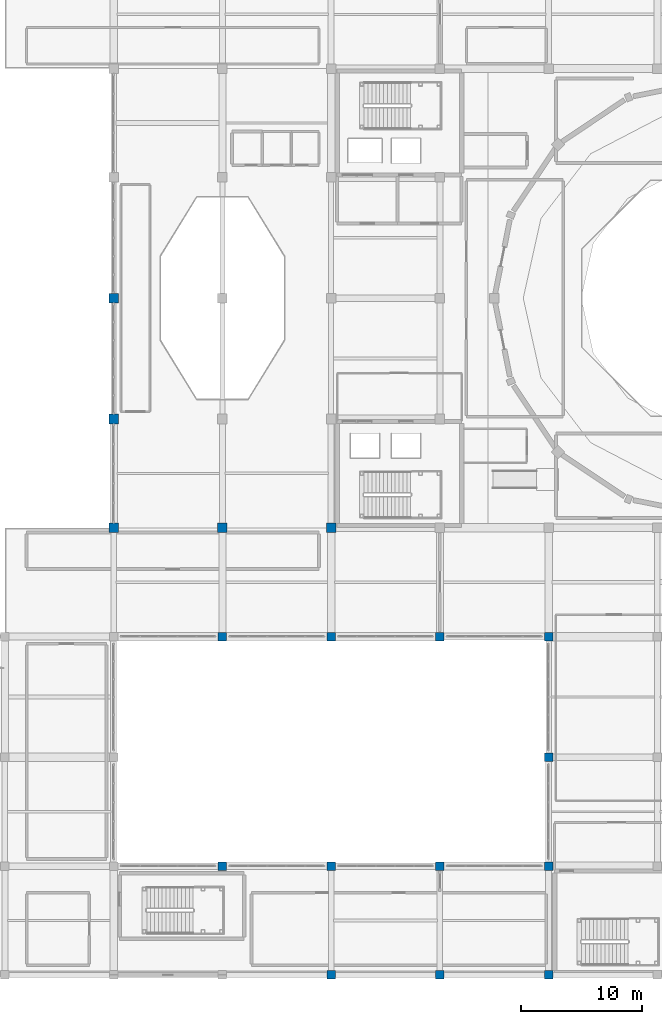
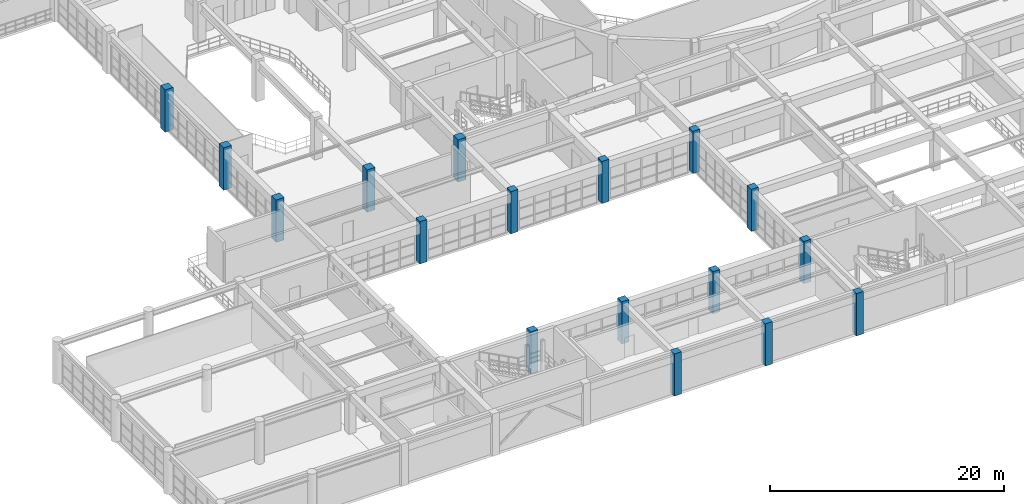
# One storey, part 2 of 133: 17 columns.
"""IFC4 building model written with IfcOpenShell, lengths in metres."""

import ifcopenshell
import ifcopenshell.guid

model = None  # the IFC model being written
_history = None  # IfcOwnerHistory: only IFC2X3 demands one
_inside = {}  # id of a spatial element -> (the spatial element, [elements in it])
_under = {}  # id of a project, library or spatial element -> (it, [spatial elements below it])
_declared = {}  # id of a project -> (the project, [libraries it declares])
_typed = {}  # id of a type object -> (the type object, [elements of that type])
_made_of = {}  # id of a material, layer set ... -> (it, [elements and type objects made of it])


def new_model(schema):
    """Start an empty IFC model of exactly this schema.

    Asked for "IFC4X3", IfcOpenShell would pick the latest addendum, in which some entities
    have other attributes; the version numbers below select the first issue.
    IFC2X3 requires an IfcOwnerHistory on every rooted entity: one is made here for all.
    """
    global model, _history
    if schema == "IFC4X3":
        model = ifcopenshell.file(schema_version=(4, 3, 0, 0))
    else:
        model = ifcopenshell.file(schema=schema)
    _inside.clear()
    _under.clear()
    _declared.clear()
    _typed.clear()
    _made_of.clear()
    _history = None
    if model.schema == "IFC2X3":
        org = make("IfcOrganization", Name="unknown")
        user = make(
            "IfcPersonAndOrganization",
            ThePerson=make("IfcPerson", FamilyName="unknown"),
            TheOrganization=org,
        )
        app = make(
            "IfcApplication",
            ApplicationDeveloper=org,
            Version="unknown",
            ApplicationFullName="unknown",
            ApplicationIdentifier="unknown",
        )
        _history = make(
            "IfcOwnerHistory",
            OwningUser=user,
            OwningApplication=app,
            ChangeAction="ADDED",
            CreationDate=0,
        )
    return model


def make(cls, **values):
    """One entity of the class cls with the attributes given. An attribute that is None is left unset."""
    return model.create_entity(
        cls, **{name: value for name, value in values.items() if value is not None}
    )


def rooted(cls, **values):
    """An entity with a GlobalId (a new one), such as an element, a storey or a relation."""
    return make(cls, GlobalId=ifcopenshell.guid.new(), OwnerHistory=_history, **values)


def si_unit(unit_type, name, prefix=None):
    """IfcSIUnit, for example si_unit("LENGTHUNIT", "METRE", prefix="MILLI")."""
    return make("IfcSIUnit", UnitType=unit_type, Prefix=prefix, Name=name)


def assignment(units):
    """IfcUnitAssignment: the units of a project."""
    return None if units is None else make("IfcUnitAssignment", Units=units)


def point(xyz):
    """IfcCartesianPoint."""
    return None if xyz is None else make("IfcCartesianPoint", Coordinates=xyz)


def direction(xyz):
    """IfcDirection."""
    return None if xyz is None else make("IfcDirection", DirectionRatios=xyz)


def frame(location, z_axis=None, x_axis=None):
    """IfcAxis2Placement3D, a coordinate frame: its origin and axes. An axis left out is left unset."""
    return make(
        "IfcAxis2Placement3D",
        Location=point(location),
        Axis=direction(z_axis),
        RefDirection=direction(x_axis),
    )


def frame_2d(location, x_axis=None):
    """IfcAxis2Placement2D, a coordinate frame in the plane: its origin and x axis."""
    return make(
        "IfcAxis2Placement2D", Location=point(location), RefDirection=direction(x_axis)
    )


def origin():
    """The frame at (0, 0, 0) with its axes left unset."""
    return frame((0.0, 0.0, 0.0))


def origin_2d():
    """The frame at (0, 0) in the plane with its x axis left unset."""
    return frame_2d((0.0, 0.0))


def place(relative_to, where):
    """IfcLocalPlacement: puts the frame where relative to a parent placement (None: the world)."""
    return make(
        "IfcLocalPlacement", PlacementRelTo=relative_to, RelativePlacement=where
    )


def context(
    kind, dimensions, precision=None, world=None, true_north=None, identifier=None
):
    """IfcGeometricRepresentationContext, for example the 3D "Model" context."""
    return make(
        "IfcGeometricRepresentationContext",
        ContextIdentifier=identifier,
        ContextType=kind,
        CoordinateSpaceDimension=dimensions,
        Precision=precision,
        WorldCoordinateSystem=world,
        TrueNorth=true_north,
    )


def subcontext(parent, identifier, kind, view, scale=None):
    """IfcGeometricRepresentationSubContext, for example "Body" below "Model"."""
    return make(
        "IfcGeometricRepresentationSubContext",
        ContextIdentifier=identifier,
        ContextType=kind,
        ParentContext=parent,
        TargetScale=scale,
        TargetView=view,
    )


def project(units=None, contexts=None):
    """IfcProject with its units and contexts."""
    return rooted(
        "IfcProject",
        Name="project",
        RepresentationContexts=contexts,
        UnitsInContext=assignment(units),
    )


def spatial(cls, under=None, at=None, **own):
    """A site, building, storey or space (cls), placed at a placement, below another one or the project."""
    s = rooted(cls, ObjectPlacement=at, **own)
    if under is not None:
        _under.setdefault(under.id(), (under, []))[1].append(s)
    return s


def profile(cls, at=None, kind="AREA", **sizes):
    """A parametric profile (cls). Its sizes go by their IFC names, for example OverallWidth=200.0."""
    return make(cls, ProfileType=kind, Position=at, **sizes)


def rectangle(**sizes):
    """IfcRectangleProfileDef."""
    return profile("IfcRectangleProfileDef", **sizes)


def extrude(swept, where, along, depth):
    """IfcExtrudedAreaSolid: the profile swept, set in the frame where, extruded along a direction by depth."""
    return make(
        "IfcExtrudedAreaSolid",
        SweptArea=swept,
        Position=where,
        ExtrudedDirection=direction(along),
        Depth=depth,
    )


def shape(context_of_items, identifier, shape_type, items):
    """IfcShapeRepresentation: the items that make up one representation, for example the "Body"."""
    return make(
        "IfcShapeRepresentation",
        ContextOfItems=context_of_items,
        RepresentationIdentifier=identifier,
        RepresentationType=shape_type,
        Items=items,
    )


def material(Name=None, Category=None):
    """IfcMaterial."""
    return make("IfcMaterial", Name=Name, Category=Category)


def material_profile(
    of_material, cross_section, Name=None, Category=None, Priority=None
):
    """IfcMaterialProfile: a cross section and its material."""
    return make(
        "IfcMaterialProfile",
        Name=Name,
        Material=of_material,
        Profile=cross_section,
        Priority=Priority,
        Category=Category,
    )


def profile_set(profiles, Name=None, composite=None):
    """IfcMaterialProfileSet."""
    return make(
        "IfcMaterialProfileSet",
        Name=Name,
        MaterialProfiles=profiles,
        CompositeProfile=composite,
    )


def made_of(thing, what):
    """Note that an element or type object is made of a material, layer set ...; save() writes the relation."""
    if what is not None:
        _made_of.setdefault(what.id(), (what, []))[1].append(thing)
    return thing


def type_object(cls, material=None, **own):
    """A type object (cls), such as IfcWallType, which elements share."""
    return made_of(rooted(cls, **own), material)


def element(
    cls,
    number,
    at=None,
    inside=None,
    cuts=None,
    type_object=None,
    material=None,
    context=None,
    identifier="Body",
    shape_type=None,
    held_by="IfcProductDefinitionShape",
    body=None,
    shapes=None,
    **own,
):
    """One element of the class cls, such as IfcWall. Its Tag is "e" and its number.

    at: its placement. inside: the storey or other place that contains it. cuts: it is an
    opening in that element (IfcRelVoidsElement). A single representation is given by context,
    identifier, shape_type and body (its items); several are given by shapes. held_by: the class
    of the entity that holds the representations. save() writes the other relations.
    """
    e = rooted(cls, Tag="e%d" % number, ObjectPlacement=at, **own)
    if body is not None:
        shapes = [shape(context, identifier, shape_type, body)]
    if shapes is not None:
        e.Representation = make(held_by, Representations=shapes)
    if inside is not None:
        _inside.setdefault(inside.id(), (inside, []))[1].append(e)
    if cuts is not None:
        rooted(
            "IfcRelVoidsElement", RelatingBuildingElement=cuts, RelatedOpeningElement=e
        )
    if type_object is not None:
        _typed.setdefault(type_object.id(), (type_object, []))[1].append(e)
    return made_of(e, material)


def aggregate(whole, parts):
    """IfcRelAggregates: a whole, such as a stair, and the parts it consists of."""
    return rooted("IfcRelAggregates", RelatingObject=whole, RelatedObjects=parts)


def save(model, path):
    """Write the relations noted so far, then the file.

    IfcRelAggregates (storeys below a building ...), IfcRelContainedInSpatialStructure (elements
    in a storey), IfcRelDefinesByType, IfcRelAssociatesMaterial and IfcRelDeclares: one each for
    every whole, place, type object, material and project.
    """
    for whole, parts in _under.values():
        aggregate(whole, parts)
    for where, things in _inside.values():
        rooted(
            "IfcRelContainedInSpatialStructure",
            RelatedElements=things,
            RelatingStructure=where,
        )
    for kind, things in _typed.values():
        rooted("IfcRelDefinesByType", RelatedObjects=things, RelatingType=kind)
    for what, things in _made_of.values():
        rooted("IfcRelAssociatesMaterial", RelatedObjects=things, RelatingMaterial=what)
    for by, libraries in _declared.values():
        rooted("IfcRelDeclares", RelatingContext=by, RelatedDefinitions=libraries)
    model.write(path)


model = new_model("IFC4")

# Units and contexts
model_context = context("Model", 3, precision=1e-05, world=origin(), true_north=direction((0.0, 1.0)))
body_context = subcontext(model_context, "Body", "Model", "MODEL_VIEW")
ifc_project = project(units=[si_unit("LENGTHUNIT", "METRE"), si_unit("AREAUNIT", "SQUARE_METRE"), si_unit("VOLUMEUNIT", "CUBIC_METRE"), si_unit("PLANEANGLEUNIT", "RADIAN"), si_unit("MASSUNIT", "GRAM", prefix="KILO")], contexts=[model_context])

# Site, building, storey
site_placement = place(None, origin())
site = spatial("IfcSite", under=ifc_project, at=site_placement, CompositionType="ELEMENT")
building_placement = place(site_placement, origin())
building = spatial("IfcBuilding", under=site, at=building_placement, Name="Miravela Opera House", CompositionType="ELEMENT")
storey_placement = place(building_placement, frame((0.0, 0.0, 5.10009765625)))
storey = spatial("IfcBuildingStorey", under=building, at=storey_placement, Name="L01", CompositionType="ELEMENT", Elevation=5.10009765625)

# Columns
ifc_material_1 = material(Name="Concrete C35/45", Category="concrete")
ifc_material_profile_1 = material_profile(ifc_material_1, rectangle(XDim=0.699951171875, YDim=0.699951171875, at=origin_2d()), Name="RC-COL-700X700")
ifc_profile_set_1 = profile_set([ifc_material_profile_1])
column_type_1 = type_object("IfcColumnType", Name="STR-COL-RC700", PredefinedType="COLUMN", material=ifc_profile_set_1)
for number, where, z_axis, x_axis, name in (
    (1, (36.0, 9.0, 0.0), (0.0, 0.0, 1.0), (1.0, 0.0, 0.0), "Column C-5B (L01)"),
    (2, (36.0, 28.0, 0.0), (0.0, 0.0, 1.0), (1.0, 0.0, 0.0), "Column C-5D (L01)"),
    (3, (45.0, 0.0, 0.0), (0.0, 0.0, 1.0), (1.0, 0.0, 0.0), "Column C-6A (L01)"),
    (4, (45.0, 9.0, 0.0), (0.0, 0.0, 1.0), (1.0, 0.0, 0.0), "Column C-6B (L01)"),
    (5, (45.0, 28.0, 0.0), (0.0, 0.0, 1.0), (1.0, 0.0, 0.0), "Column C-6D (L01)"),
    (6, (54.0, 0.0, 0.0), (0.0, 0.0, 1.0), (1.0, 0.0, 0.0), "Column C-7A (L01)"),
    (7, (54.0, 9.0, 0.0), (0.0, 0.0, 1.0), (1.0, 0.0, 0.0), "Column C-7B (L01)"),
    (8, (54.0, 28.0, 0.0), (0.0, 0.0, 1.0), (1.0, 0.0, 0.0), "Column C-7D (L01)"),
    (9, (63.0, 0.0, 0.0), (0.0, 0.0, 1.0), (1.0, 0.0, 0.0), "Column C-8A (L01)"),
    (10, (63.0, 9.0, 0.0), (0.0, 0.0, 1.0), (1.0, 0.0, 0.0), "Column C-8B (L01)"),
    (11, (63.0, 18.0, 0.0), (0.0, 0.0, 1.0), (1.0, 0.0, 0.0), "Column C-8C (L01)"),
    (12, (63.0, 28.0, 0.0), (0.0, 0.0, 1.0), (1.0, 0.0, 0.0), "Column C-8D (L01)"),
):
    element("IfcColumn", number, at=place(storey_placement, frame(where, z_axis=z_axis, x_axis=x_axis)), inside=storey, type_object=column_type_1, Name=name, PredefinedType="COLUMN", context=body_context, shape_type="SweptSolid", body=[
        extrude(rectangle(XDim=0.699951171875, YDim=0.699951171875, at=origin_2d()), origin(), (0.0, 0.0, 1.0), 4.419921875),
    ])
ifc_material_2 = material(Name="Concrete C40/50", Category="concrete")
ifc_material_profile_2 = material_profile(ifc_material_2, rectangle(XDim=0.800048828125, YDim=0.800048828125, at=origin_2d()), Name="RC-COL-800X800")
ifc_profile_set_2 = profile_set([ifc_material_profile_2])
column_type_2 = type_object("IfcColumnType", Name="STR-COL-RC800", PredefinedType="COLUMN", material=ifc_profile_set_2)
for number, where, z_axis, x_axis, name in (
    (13, (27.0, 37.0, 0.0), (0.0, 0.0, 1.0), (1.0, 0.0, 0.0), "Column C-4E (L01)"),
    (14, (27.0, 46.0, 0.0), (0.0, 0.0, 1.0), (1.0, 0.0, 0.0), "Column C-4F (L01)"),
    (15, (27.0, 56.0, 0.0), (0.0, 0.0, 1.0), (1.0, 0.0, 0.0), "Column C-4G (L01)"),
    (16, (36.0, 37.0, 0.0), (0.0, 0.0, 1.0), (1.0, 0.0, 0.0), "Column C-5E (L01)"),
    (17, (45.0, 37.0, 0.0), (0.0, 0.0, 1.0), (1.0, 0.0, 0.0), "Column C-6E (L01)"),
):
    element("IfcColumn", number, at=place(storey_placement, frame(where, z_axis=z_axis, x_axis=x_axis)), inside=storey, type_object=column_type_2, Name=name, PredefinedType="COLUMN", context=body_context, shape_type="SweptSolid", body=[
        extrude(rectangle(XDim=0.800048828125, YDim=0.800048828125, at=origin_2d()), origin(), (0.0, 0.0, 1.0), 4.419921875),
    ])

save(model, "model.ifc")
